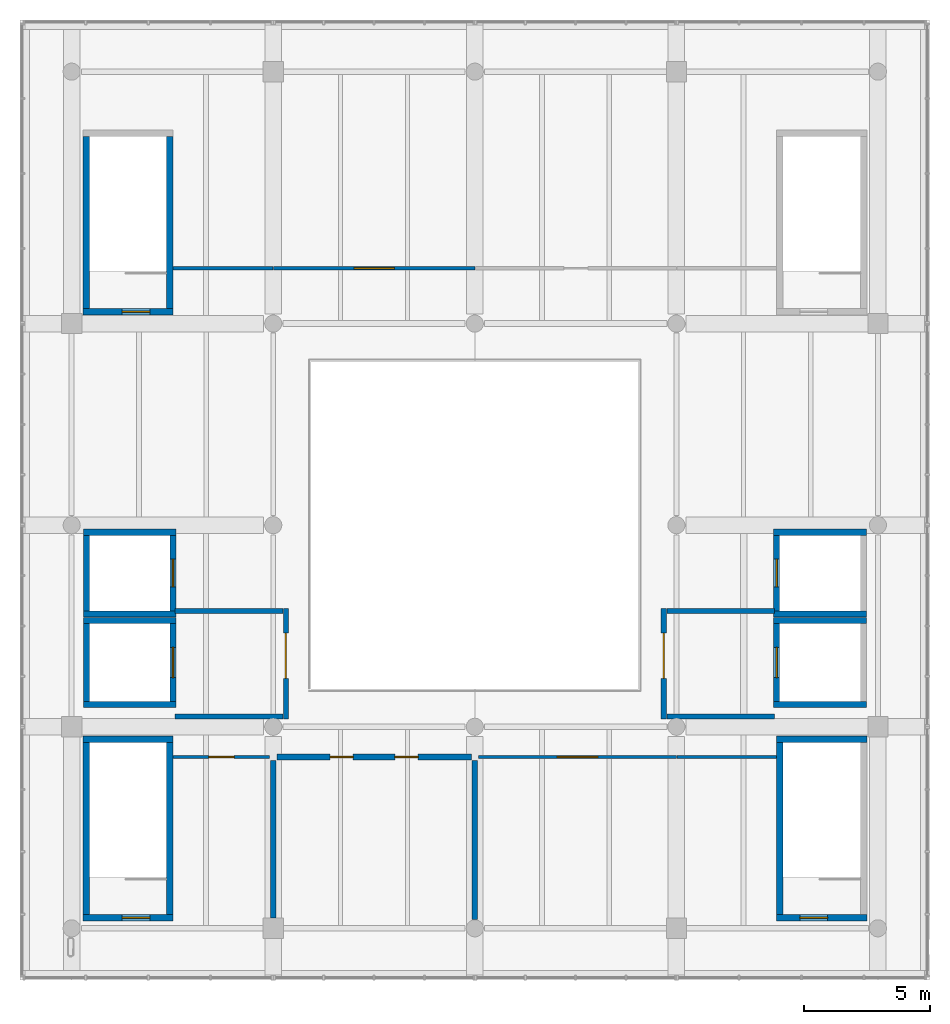
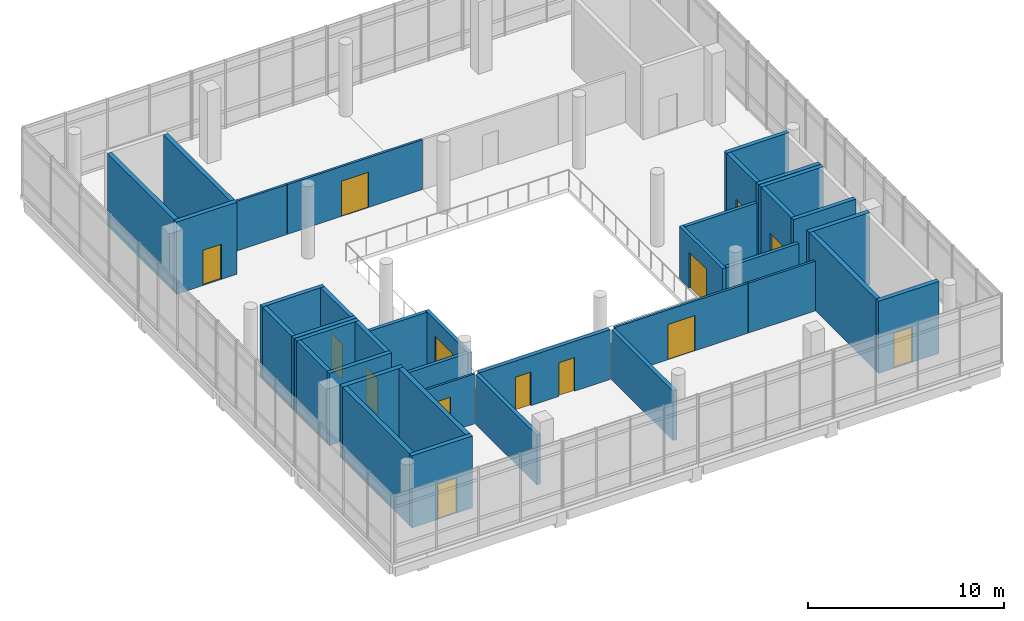
# One storey, part 13 of 15: 38 walls, 14 doors, 14 openings.
"""IFC4 building model written with IfcOpenShell, lengths in metres."""

import ifcopenshell
import ifcopenshell.guid

model = None  # the IFC model being written
_history = None  # IfcOwnerHistory: only IFC2X3 demands one
_inside = {}  # id of a spatial element -> (the spatial element, [elements in it])
_under = {}  # id of a project, library or spatial element -> (it, [spatial elements below it])
_declared = {}  # id of a project -> (the project, [libraries it declares])
_typed = {}  # id of a type object -> (the type object, [elements of that type])
_made_of = {}  # id of a material, layer set ... -> (it, [elements and type objects made of it])


def new_model(schema):
    """Start an empty IFC model of exactly this schema.

    Asked for "IFC4X3", IfcOpenShell would pick the latest addendum, in which some entities
    have other attributes; the version numbers below select the first issue.
    IFC2X3 requires an IfcOwnerHistory on every rooted entity: one is made here for all.
    """
    global model, _history
    if schema == "IFC4X3":
        model = ifcopenshell.file(schema_version=(4, 3, 0, 0))
    else:
        model = ifcopenshell.file(schema=schema)
    _inside.clear()
    _under.clear()
    _declared.clear()
    _typed.clear()
    _made_of.clear()
    _history = None
    if model.schema == "IFC2X3":
        org = make("IfcOrganization", Name="unknown")
        user = make(
            "IfcPersonAndOrganization",
            ThePerson=make("IfcPerson", FamilyName="unknown"),
            TheOrganization=org,
        )
        app = make(
            "IfcApplication",
            ApplicationDeveloper=org,
            Version="unknown",
            ApplicationFullName="unknown",
            ApplicationIdentifier="unknown",
        )
        _history = make(
            "IfcOwnerHistory",
            OwningUser=user,
            OwningApplication=app,
            ChangeAction="ADDED",
            CreationDate=0,
        )
    return model


def make(cls, **values):
    """One entity of the class cls with the attributes given. An attribute that is None is left unset."""
    return model.create_entity(
        cls, **{name: value for name, value in values.items() if value is not None}
    )


def rooted(cls, **values):
    """An entity with a GlobalId (a new one), such as an element, a storey or a relation."""
    return make(cls, GlobalId=ifcopenshell.guid.new(), OwnerHistory=_history, **values)


def si_unit(unit_type, name, prefix=None):
    """IfcSIUnit, for example si_unit("LENGTHUNIT", "METRE", prefix="MILLI")."""
    return make("IfcSIUnit", UnitType=unit_type, Prefix=prefix, Name=name)


def assignment(units):
    """IfcUnitAssignment: the units of a project."""
    return None if units is None else make("IfcUnitAssignment", Units=units)


def point(xyz):
    """IfcCartesianPoint."""
    return None if xyz is None else make("IfcCartesianPoint", Coordinates=xyz)


def direction(xyz):
    """IfcDirection."""
    return None if xyz is None else make("IfcDirection", DirectionRatios=xyz)


def frame(location, z_axis=None, x_axis=None):
    """IfcAxis2Placement3D, a coordinate frame: its origin and axes. An axis left out is left unset."""
    return make(
        "IfcAxis2Placement3D",
        Location=point(location),
        Axis=direction(z_axis),
        RefDirection=direction(x_axis),
    )


def frame_2d(location, x_axis=None):
    """IfcAxis2Placement2D, a coordinate frame in the plane: its origin and x axis."""
    return make(
        "IfcAxis2Placement2D", Location=point(location), RefDirection=direction(x_axis)
    )


def origin():
    """The frame at (0, 0, 0) with its axes left unset."""
    return frame((0.0, 0.0, 0.0))


def place(relative_to, where):
    """IfcLocalPlacement: puts the frame where relative to a parent placement (None: the world)."""
    return make(
        "IfcLocalPlacement", PlacementRelTo=relative_to, RelativePlacement=where
    )


def context(
    kind, dimensions, precision=None, world=None, true_north=None, identifier=None
):
    """IfcGeometricRepresentationContext, for example the 3D "Model" context."""
    return make(
        "IfcGeometricRepresentationContext",
        ContextIdentifier=identifier,
        ContextType=kind,
        CoordinateSpaceDimension=dimensions,
        Precision=precision,
        WorldCoordinateSystem=world,
        TrueNorth=true_north,
    )


def subcontext(parent, identifier, kind, view, scale=None):
    """IfcGeometricRepresentationSubContext, for example "Body" below "Model"."""
    return make(
        "IfcGeometricRepresentationSubContext",
        ContextIdentifier=identifier,
        ContextType=kind,
        ParentContext=parent,
        TargetScale=scale,
        TargetView=view,
    )


def project(units=None, contexts=None):
    """IfcProject with its units and contexts."""
    return rooted(
        "IfcProject",
        Name="project",
        RepresentationContexts=contexts,
        UnitsInContext=assignment(units),
    )


def spatial(cls, under=None, at=None, **own):
    """A site, building, storey or space (cls), placed at a placement, below another one or the project."""
    s = rooted(cls, ObjectPlacement=at, **own)
    if under is not None:
        _under.setdefault(under.id(), (under, []))[1].append(s)
    return s


def profile(cls, at=None, kind="AREA", **sizes):
    """A parametric profile (cls). Its sizes go by their IFC names, for example OverallWidth=200.0."""
    return make(cls, ProfileType=kind, Position=at, **sizes)


def rectangle(**sizes):
    """IfcRectangleProfileDef."""
    return profile("IfcRectangleProfileDef", **sizes)


def extrude(swept, where, along, depth):
    """IfcExtrudedAreaSolid: the profile swept, set in the frame where, extruded along a direction by depth."""
    return make(
        "IfcExtrudedAreaSolid",
        SweptArea=swept,
        Position=where,
        ExtrudedDirection=direction(along),
        Depth=depth,
    )


def shape(context_of_items, identifier, shape_type, items):
    """IfcShapeRepresentation: the items that make up one representation, for example the "Body"."""
    return make(
        "IfcShapeRepresentation",
        ContextOfItems=context_of_items,
        RepresentationIdentifier=identifier,
        RepresentationType=shape_type,
        Items=items,
    )


def material(Name=None, Category=None):
    """IfcMaterial."""
    return make("IfcMaterial", Name=Name, Category=Category)


def layer(
    of_material, thickness, ventilated=None, Name=None, Category=None, Priority=None
):
    """IfcMaterialLayer: one layer of a wall or slab, of a material (None: an air gap)."""
    return make(
        "IfcMaterialLayer",
        Material=of_material,
        LayerThickness=thickness,
        IsVentilated=ventilated,
        Name=Name,
        Category=Category,
        Priority=Priority,
    )


def layer_set(layers, Name=None):
    """IfcMaterialLayerSet."""
    return make("IfcMaterialLayerSet", MaterialLayers=layers, LayerSetName=Name)


def made_of(thing, what):
    """Note that an element or type object is made of a material, layer set ...; save() writes the relation."""
    if what is not None:
        _made_of.setdefault(what.id(), (what, []))[1].append(thing)
    return thing


def type_object(cls, material=None, **own):
    """A type object (cls), such as IfcWallType, which elements share."""
    return made_of(rooted(cls, **own), material)


def element(
    cls,
    number,
    at=None,
    inside=None,
    cuts=None,
    type_object=None,
    material=None,
    context=None,
    identifier="Body",
    shape_type=None,
    held_by="IfcProductDefinitionShape",
    body=None,
    shapes=None,
    **own,
):
    """One element of the class cls, such as IfcWall. Its Tag is "e" and its number.

    at: its placement. inside: the storey or other place that contains it. cuts: it is an
    opening in that element (IfcRelVoidsElement). A single representation is given by context,
    identifier, shape_type and body (its items); several are given by shapes. held_by: the class
    of the entity that holds the representations. save() writes the other relations.
    """
    e = rooted(cls, Tag="e%d" % number, ObjectPlacement=at, **own)
    if body is not None:
        shapes = [shape(context, identifier, shape_type, body)]
    if shapes is not None:
        e.Representation = make(held_by, Representations=shapes)
    if inside is not None:
        _inside.setdefault(inside.id(), (inside, []))[1].append(e)
    if cuts is not None:
        rooted(
            "IfcRelVoidsElement", RelatingBuildingElement=cuts, RelatedOpeningElement=e
        )
    if type_object is not None:
        _typed.setdefault(type_object.id(), (type_object, []))[1].append(e)
    return made_of(e, material)


def fill(opening, filler):
    """IfcRelFillsElement: the door or window that sits in an opening."""
    return rooted(
        "IfcRelFillsElement",
        RelatingOpeningElement=opening,
        RelatedBuildingElement=filler,
    )


def aggregate(whole, parts):
    """IfcRelAggregates: a whole, such as a stair, and the parts it consists of."""
    return rooted("IfcRelAggregates", RelatingObject=whole, RelatedObjects=parts)


def save(model, path):
    """Write the relations noted so far, then the file.

    IfcRelAggregates (storeys below a building ...), IfcRelContainedInSpatialStructure (elements
    in a storey), IfcRelDefinesByType, IfcRelAssociatesMaterial and IfcRelDeclares: one each for
    every whole, place, type object, material and project.
    """
    for whole, parts in _under.values():
        aggregate(whole, parts)
    for where, things in _inside.values():
        rooted(
            "IfcRelContainedInSpatialStructure",
            RelatedElements=things,
            RelatingStructure=where,
        )
    for kind, things in _typed.values():
        rooted("IfcRelDefinesByType", RelatedObjects=things, RelatingType=kind)
    for what, things in _made_of.values():
        rooted("IfcRelAssociatesMaterial", RelatedObjects=things, RelatingMaterial=what)
    for by, libraries in _declared.values():
        rooted("IfcRelDeclares", RelatingContext=by, RelatedDefinitions=libraries)
    model.write(path)


model = new_model("IFC4")

# Units and contexts
model_context = context("Model", 3, precision=1e-05, world=origin(), true_north=direction((0.0, 1.0)))
body_context = subcontext(model_context, "Body", "Model", "MODEL_VIEW")
ifc_project = project(units=[si_unit("LENGTHUNIT", "METRE"), si_unit("AREAUNIT", "SQUARE_METRE"), si_unit("VOLUMEUNIT", "CUBIC_METRE"), si_unit("PLANEANGLEUNIT", "RADIAN"), si_unit("MASSUNIT", "GRAM", prefix="KILO")], contexts=[model_context])

# Site, building, storey
site_placement = place(None, origin())
site = spatial("IfcSite", under=ifc_project, at=site_placement, CompositionType="ELEMENT")
building_placement = place(site_placement, origin())
building = spatial("IfcBuilding", under=site, at=building_placement, Name="Pecanmere Concourse Central Library", CompositionType="ELEMENT")
storey_placement = place(building_placement, frame((0.0, 0.0, 30.300048828125)))
storey = spatial("IfcBuildingStorey", under=building, at=storey_placement, Name="L07", CompositionType="ELEMENT", Elevation=30.300048828125)

# Wall, opening, door
ifc_material_1 = material(Name="Fire-rated gypsum board on acoustic steel stud", Category="steel")
ifc_layer_1 = layer(ifc_material_1, 0.135009765625, Name="IW_PART_135")
ifc_layer_set_1 = layer_set([ifc_layer_1], Name="Fire-rated gypsum board on acoustic steel stud")
wall_type_1 = type_object("IfcWallType", Name="IW_PART_135", PredefinedType="PARTITIONING", material=ifc_layer_set_1)
wall_1_placement = place(storey_placement, frame((76.030029296875, 96.800048828125, 0.0), z_axis=(0.0, 0.0, 1.0), x_axis=(1.0, 0.0, 0.0)))
wall_1 = element("IfcWall", 1, at=wall_1_placement, inside=storey, type_object=wall_type_1, Name="Interior Partition L07-0229", PredefinedType="PARTITIONING", context=body_context, shape_type="SweptSolid", body=[
    extrude(rectangle(XDim=3.830078125, YDim=0.135009765625, at=frame_2d((1.9150390625, 0.0))), origin(), (0.0, 0.0, 1.0), 3.10986328125),
])
opening_1_placement = place(wall_1_placement, frame((1.4150390625, 0.0, 0.0)))
opening_1 = element("IfcOpeningElement", 2, at=opening_1_placement, cuts=wall_1, Name="Opening DT-03", PredefinedType="OPENING", context=body_context, shape_type="SweptSolid", body=[
    extrude(rectangle(XDim=1.0, YDim=2.14990234375, at=frame_2d((0.5, 1.074951171875))), frame((0.0, 0.07958984375, 0.0), z_axis=(0.0, -1.0, 0.0), x_axis=(1.0, 0.0, 0.0)), (0.0, 0.0, 1.0), 0.158935546875),
])
ifc_material_2 = material(Name="Solid white oak architectural joinery")
door_type_1 = type_object("IfcDoorType", Name="DT-03", OperationType="SINGLE_SWING_LEFT", PredefinedType="DOOR", material=ifc_material_2)
door_1_placement = place(opening_1_placement, frame((1.0, 0.0, 0.0), z_axis=(0.0, 0.0, 1.0), x_axis=(-1.0, 0.0, 0.0)))
door_1 = element("IfcDoor", 3, at=door_1_placement, inside=storey, type_object=door_type_1, Name="D-243", OperationType="SINGLE_SWING_LEFT", OverallHeight=2.14990234375, OverallWidth=1.0, PredefinedType="DOOR", context=body_context, shape_type="SweptSolid", body=[
    extrude(rectangle(XDim=1.0, YDim=2.14990234375, at=frame_2d((0.5, 1.074951171875))), frame((0.0, 0.02490234375, 0.0), z_axis=(0.0, -1.0, 0.0), x_axis=(1.0, 0.0, 0.0)), (0.0, 0.0, 1.0), 0.050048828125),
])
fill(opening_1, door_1)

wall_2_placement = place(storey_placement, frame((88.139892578125, 96.800048828125, 0.0), z_axis=(0.0, 0.0, 1.0), x_axis=(1.0, 0.0, 0.0)))
wall_2 = element("IfcWall", 4, at=wall_2_placement, inside=storey, type_object=wall_type_1, Name="Interior Partition L07-0230", PredefinedType="PARTITIONING", context=body_context, shape_type="SweptSolid", body=[
    extrude(rectangle(XDim=7.860107421875, YDim=0.135009765625, at=frame_2d((3.93017578125, 0.0))), origin(), (0.0, 0.0, 1.0), 3.10986328125),
])
opening_2_placement = place(wall_2_placement, frame((3.1298828125, 0.0, 0.0)))
opening_2 = element("IfcOpeningElement", 5, at=opening_2_placement, cuts=wall_2, Name="Opening DT-02", PredefinedType="OPENING", context=body_context, shape_type="SweptSolid", body=[
    extrude(rectangle(XDim=1.60009765625, YDim=2.199951171875, at=frame_2d((0.800048828125, 1.10009765625))), frame((0.0, 0.07958984375, 0.0), z_axis=(0.0, -1.0, 0.0), x_axis=(1.0, 0.0, 0.0)), (0.0, 0.0, 1.0), 0.158935546875),
])
ifc_material_3 = material(Name="Solid white oak architectural joinery")
door_type_2 = type_object("IfcDoorType", Name="DT-02", OperationType="DOUBLE_DOOR_SINGLE_SWING", PredefinedType="DOOR", material=ifc_material_3)
door_2_placement = place(opening_2_placement, origin())
door_2 = element("IfcDoor", 6, at=door_2_placement, inside=storey, type_object=door_type_2, Name="D-244", OperationType="DOUBLE_DOOR_SINGLE_SWING", OverallHeight=2.199951171875, OverallWidth=1.60009765625, PredefinedType="DOOR", context=body_context, shape_type="SweptSolid", body=[
    extrude(rectangle(XDim=1.60009765625, YDim=2.199951171875, at=frame_2d((0.800048828125, 1.10009765625))), frame((0.0, 0.02490234375, 0.0), z_axis=(0.0, -1.0, 0.0), x_axis=(1.0, 0.0, 0.0)), (0.0, 0.0, 1.0), 0.050048828125),
])
fill(opening_2, door_2)

# Walls
wall_3_placement = place(storey_placement, frame((96.02001953125, 96.800048828125, 0.0), z_axis=(0.0, 0.0, 1.0), x_axis=(1.0, 0.0, 0.0)))
element("IfcWall", 7, at=wall_3_placement, inside=storey, type_object=wall_type_1, Name="Interior Partition L07-0231", PredefinedType="PARTITIONING", context=body_context, shape_type="SweptSolid", body=[
    extrude(rectangle(XDim=3.949951171875, YDim=0.135009765625, at=frame_2d((1.97509765625, 0.0))), origin(), (0.0, 0.0, 1.0), 3.10986328125),
])
wall_4_placement = place(storey_placement, frame((76.030029296875, 116.199951171875, 0.0), z_axis=(0.0, 0.0, 1.0), x_axis=(1.0, 0.0, 0.0)))
element("IfcWall", 8, at=wall_4_placement, inside=storey, type_object=wall_type_1, Name="Interior Partition L07-0232", PredefinedType="PARTITIONING", context=body_context, shape_type="SweptSolid", body=[
    extrude(rectangle(XDim=3.969970703125, YDim=0.135009765625, at=frame_2d((1.98486328125, 0.0))), origin(), (0.0, 0.0, 1.0), 3.10986328125),
])

# Wall, opening, door
wall_5_placement = place(storey_placement, frame((80.02001953125, 116.199951171875, 0.0), z_axis=(0.0, 0.0, 1.0), x_axis=(1.0, 0.0, 0.0)))
wall_5 = element("IfcWall", 9, at=wall_5_placement, inside=storey, type_object=wall_type_1, Name="Interior Partition L07-0233", PredefinedType="PARTITIONING", context=body_context, shape_type="SweptSolid", body=[
    extrude(rectangle(XDim=7.97998046875, YDim=0.135009765625, at=frame_2d((3.989990234375, 0.0))), origin(), (0.0, 0.0, 1.0), 3.10986328125),
])
opening_3_placement = place(wall_5_placement, frame((3.18994140625, 0.0, 0.0)))
opening_3 = element("IfcOpeningElement", 10, at=opening_3_placement, cuts=wall_5, Name="Opening DT-02", PredefinedType="OPENING", context=body_context, shape_type="SweptSolid", body=[
    extrude(rectangle(XDim=1.60009765625, YDim=2.199951171875, at=frame_2d((0.800048828125, 1.10009765625))), frame((0.0, 0.07958984375, 0.0), z_axis=(0.0, -1.0, 0.0), x_axis=(1.0, 0.0, 0.0)), (0.0, 0.0, 1.0), 0.158935546875),
])
door_3_placement = place(opening_3_placement, frame((1.60009765625, 0.0, 0.0), z_axis=(0.0, 0.0, 1.0), x_axis=(-1.0, 0.0, 0.0)))
door_3 = element("IfcDoor", 11, at=door_3_placement, inside=storey, type_object=door_type_2, Name="D-245", OperationType="DOUBLE_DOOR_SINGLE_SWING", OverallHeight=2.199951171875, OverallWidth=1.60009765625, PredefinedType="DOOR", context=body_context, shape_type="SweptSolid", body=[
    extrude(rectangle(XDim=1.60009765625, YDim=2.199951171875, at=frame_2d((0.800048828125, 1.10009765625))), frame((0.0, 0.02490234375, 0.0), z_axis=(0.0, -1.0, 0.0), x_axis=(1.0, 0.0, 0.0)), (0.0, 0.0, 1.0), 0.050048828125),
])
fill(opening_3, door_3)

# Walls
ifc_material_4 = material(Name="Fire-rated gypsum board on acoustic steel stud", Category="steel")
ifc_layer_2 = layer(ifc_material_4, 0.199951171875, Name="IW_PART_200")
ifc_layer_set_2 = layer_set([ifc_layer_2], Name="Fire-rated gypsum board on acoustic steel stud")
wall_type_2 = type_object("IfcWallType", Name="IW_PART_200", PredefinedType="PARTITIONING", material=ifc_layer_set_2)
for number, where, z_axis, x_axis, name in (
    (12, (76.10009765625, 98.39990234375, 0.0), (0.0, 0.0, 1.0), (1.0, 0.0, 0.0), "Firefighting Lobby Wall W-L07-S"),
    (13, (76.10009765625, 102.60009765625, 0.0), (0.0, 0.0, 1.0), (1.0, 0.0, 0.0), "Firefighting Lobby Wall W-L07-N"),
):
    element("IfcWall", number, at=place(storey_placement, frame(where, z_axis=z_axis, x_axis=x_axis)), inside=storey, type_object=wall_type_2, Name=name, PredefinedType="PARTITIONING", context=body_context, shape_type="SweptSolid", body=[
        extrude(rectangle(XDim=4.27978515625, YDim=0.199951171875, at=frame_2d((2.139892578125, 0.0))), origin(), (0.0, 0.0, 1.0), 3.280029296875),
    ])

# Wall, opening, door
wall_6_placement = place(storey_placement, frame((80.5, 98.300048828125, 0.0), z_axis=(0.0, 0.0, 1.0), x_axis=(0.0, 1.0, 0.0)))
wall_6 = element("IfcWall", 14, at=wall_6_placement, inside=storey, type_object=wall_type_2, Name="Firefighting Lobby Door Wall W-L07", PredefinedType="PARTITIONING", context=body_context, shape_type="SweptSolid", body=[
    extrude(rectangle(XDim=4.39990234375, YDim=0.199951171875, at=frame_2d((2.199951171875, 0.0))), origin(), (0.0, 0.0, 1.0), 3.280029296875),
])
opening_4_placement = place(wall_6_placement, frame((1.6201171875, 0.0, 0.0)))
opening_4 = element("IfcOpeningElement", 15, at=opening_4_placement, cuts=wall_6, Name="Opening FD-03", PredefinedType="OPENING", context=body_context, shape_type="SweptSolid", body=[
    extrude(rectangle(XDim=1.800048828125, YDim=2.25, at=frame_2d((0.89990234375, 1.125))), frame((0.0, 0.11181640625, 0.0), z_axis=(0.0, -1.0, 0.0), x_axis=(1.0, 0.0, 0.0)), (0.0, 0.0, 1.0), 0.223876953125),
])
ifc_material_5 = material(Name="Painted architectural steel ASTM A36", Category="steel")
door_type_3 = type_object("IfcDoorType", Name="FD-03", OperationType="DOUBLE_DOOR_SINGLE_SWING", PredefinedType="DOOR", material=ifc_material_5)
door_4_placement = place(opening_4_placement, origin())
door_4 = element("IfcDoor", 16, at=door_4_placement, inside=storey, type_object=door_type_3, Name="D-123", OperationType="DOUBLE_DOOR_SINGLE_SWING", OverallHeight=2.25, OverallWidth=1.800048828125, PredefinedType="DOOR", context=body_context, shape_type="SweptSolid", body=[
    extrude(rectangle(XDim=1.800048828125, YDim=2.25, at=frame_2d((0.89990234375, 1.125))), frame((0.0, 0.02490234375, 0.0), z_axis=(0.0, -1.0, 0.0), x_axis=(1.0, 0.0, 0.0)), (0.0, 0.0, 1.0), 0.050048828125),
])
fill(opening_4, door_4)

# Walls
for number, where, z_axis, x_axis, name in (
    (17, (95.6201171875, 98.39990234375, 0.0), (0.0, 0.0, 1.0), (1.0, 0.0, 0.0), "Firefighting Lobby Wall E-L07-S"),
    (18, (95.6201171875, 102.60009765625, 0.0), (0.0, 0.0, 1.0), (1.0, 0.0, 0.0), "Firefighting Lobby Wall E-L07-N"),
):
    element("IfcWall", number, at=place(storey_placement, frame(where, z_axis=z_axis, x_axis=x_axis)), inside=storey, type_object=wall_type_2, Name=name, PredefinedType="PARTITIONING", context=body_context, shape_type="SweptSolid", body=[
        extrude(rectangle(XDim=4.27978515625, YDim=0.199951171875, at=frame_2d((2.139892578125, 0.0))), origin(), (0.0, 0.0, 1.0), 3.280029296875),
    ])

# Wall, opening, door
wall_7_placement = place(storey_placement, frame((95.5, 98.300048828125, 0.0), z_axis=(0.0, 0.0, 1.0), x_axis=(0.0, 1.0, 0.0)))
wall_7 = element("IfcWall", 19, at=wall_7_placement, inside=storey, type_object=wall_type_2, Name="Firefighting Lobby Door Wall E-L07", PredefinedType="PARTITIONING", context=body_context, shape_type="SweptSolid", body=[
    extrude(rectangle(XDim=4.39990234375, YDim=0.199951171875, at=frame_2d((2.199951171875, 0.0))), origin(), (0.0, 0.0, 1.0), 3.280029296875),
])
opening_5_placement = place(wall_7_placement, frame((1.6201171875, 0.0, 0.0)))
opening_5 = element("IfcOpeningElement", 20, at=opening_5_placement, cuts=wall_7, Name="Opening FD-03", PredefinedType="OPENING", context=body_context, shape_type="SweptSolid", body=[
    extrude(rectangle(XDim=1.800048828125, YDim=2.25, at=frame_2d((0.89990234375, 1.125))), frame((0.0, 0.11181640625, 0.0), z_axis=(0.0, -1.0, 0.0), x_axis=(1.0, 0.0, 0.0)), (0.0, 0.0, 1.0), 0.223876953125),
])
door_5_placement = place(opening_5_placement, origin())
door_5 = element("IfcDoor", 21, at=door_5_placement, inside=storey, type_object=door_type_3, Name="D-124", OperationType="DOUBLE_DOOR_SINGLE_SWING", OverallHeight=2.25, OverallWidth=1.800048828125, PredefinedType="DOOR", context=body_context, shape_type="SweptSolid", body=[
    extrude(rectangle(XDim=1.800048828125, YDim=2.25, at=frame_2d((0.89990234375, 1.125))), frame((0.0, 0.02490234375, 0.0), z_axis=(0.0, -1.0, 0.0), x_axis=(1.0, 0.0, 0.0)), (0.0, 0.0, 1.0), 0.050048828125),
])
fill(opening_5, door_5)

# Walls
ifc_material_6 = material(Name="Concrete masonry unit ASTM C90", Category="masonry")
ifc_layer_3 = layer(ifc_material_6, 0.22509765625, Name="IW_PLUMB_225")
ifc_layer_set_3 = layer_set([ifc_layer_3], Name="Concrete masonry unit ASTM C90")
wall_type_3 = type_object("IfcWallType", Name="IW_PLUMB_225", PredefinedType="PARTITIONING", material=ifc_layer_set_3)
wall_8_placement = place(storey_placement, frame((80.0, 90.409912109375, 0.0), z_axis=(0.0, 0.0, 1.0), x_axis=(0.0, 1.0, 0.0)))
element("IfcWall", 22, at=wall_8_placement, inside=storey, type_object=wall_type_3, Name="Interior Partition L07-0226", PredefinedType="PARTITIONING", context=body_context, shape_type="SweptSolid", body=[
    extrude(rectangle(XDim=6.25, YDim=0.22509765625, at=frame_2d((3.125, 0.0))), origin(), (0.0, 0.0, 1.0), 3.10986328125),
])
wall_9_placement = place(storey_placement, frame((88.0, 90.35009765625, 0.0), z_axis=(0.0, 0.0, 1.0), x_axis=(0.0, 1.0, 0.0)))
element("IfcWall", 23, at=wall_9_placement, inside=storey, type_object=wall_type_3, Name="Interior Partition L07-0227", PredefinedType="PARTITIONING", context=body_context, shape_type="SweptSolid", body=[
    extrude(rectangle(XDim=6.309814453125, YDim=0.22509765625, at=frame_2d((3.15478515625, 0.0))), origin(), (0.0, 0.0, 1.0), 3.10986328125),
])

# Wall, openings, doors
wall_10_placement = place(storey_placement, frame((80.139892578125, 96.800048828125, 0.0), z_axis=(0.0, 0.0, 1.0), x_axis=(1.0, 0.0, 0.0)))
wall_10 = element("IfcWall", 24, at=wall_10_placement, inside=storey, type_object=wall_type_3, Name="Interior Partition L07-0228", PredefinedType="PARTITIONING", context=body_context, shape_type="SweptSolid", body=[
    extrude(rectangle(XDim=7.72021484375, YDim=0.22509765625, at=frame_2d((3.860107421875, 0.0))), origin(), (0.0, 0.0, 1.0), 3.10986328125),
])
opening_6_placement = place(wall_10_placement, frame((2.11328125, 0.0, 0.0)))
opening_6 = element("IfcOpeningElement", 25, at=opening_6_placement, cuts=wall_10, Name="Opening DT-07", PredefinedType="OPENING", context=body_context, shape_type="SweptSolid", body=[
    extrude(rectangle(XDim=0.919921875, YDim=2.10009765625, at=frame_2d((0.4599609375, 1.050048828125))), frame((0.0, 0.12451171875, 0.0), z_axis=(0.0, -1.0, 0.0), x_axis=(1.0, 0.0, 0.0)), (0.0, 0.0, 1.0), 0.2490234375),
])
opening_7_placement = place(wall_10_placement, frame((4.686767578125, 0.0, 0.0)))
opening_7 = element("IfcOpeningElement", 26, at=opening_7_placement, cuts=wall_10, Name="Opening DT-08", PredefinedType="OPENING", context=body_context, shape_type="SweptSolid", body=[
    extrude(rectangle(XDim=0.919921875, YDim=2.10009765625, at=frame_2d((0.4599609375, 1.050048828125))), frame((0.0, 0.12451171875, 0.0), z_axis=(0.0, -1.0, 0.0), x_axis=(1.0, 0.0, 0.0)), (0.0, 0.0, 1.0), 0.2490234375),
])
ifc_material_7 = material(Name="Solid white oak architectural joinery")
door_type_4 = type_object("IfcDoorType", Name="DT-07", OperationType="SINGLE_SWING_LEFT", PredefinedType="DOOR", material=ifc_material_7)
door_6_placement = place(opening_6_placement, frame((0.919921875, 0.0, 0.0), z_axis=(0.0, 0.0, 1.0), x_axis=(-1.0, 0.0, 0.0)))
door_6 = element("IfcDoor", 27, at=door_6_placement, inside=storey, type_object=door_type_4, Name="D-241", OperationType="SINGLE_SWING_LEFT", OverallHeight=2.10009765625, OverallWidth=0.919921875, PredefinedType="DOOR", context=body_context, shape_type="SweptSolid", body=[
    extrude(rectangle(XDim=0.919921875, YDim=2.10009765625, at=frame_2d((0.4599609375, 1.050048828125))), frame((0.0, 0.02490234375, 0.0), z_axis=(0.0, -1.0, 0.0), x_axis=(1.0, 0.0, 0.0)), (0.0, 0.0, 1.0), 0.050048828125),
])
fill(opening_6, door_6)
ifc_material_8 = material(Name="Solid white oak architectural joinery")
door_type_5 = type_object("IfcDoorType", Name="DT-08", OperationType="SINGLE_SWING_RIGHT", PredefinedType="DOOR", material=ifc_material_8)
door_7_placement = place(opening_7_placement, origin())
door_7 = element("IfcDoor", 28, at=door_7_placement, inside=storey, type_object=door_type_5, Name="D-242", OperationType="SINGLE_SWING_RIGHT", OverallHeight=2.10009765625, OverallWidth=0.919921875, PredefinedType="DOOR", context=body_context, shape_type="SweptSolid", body=[
    extrude(rectangle(XDim=0.919921875, YDim=2.10009765625, at=frame_2d((0.4599609375, 1.050048828125))), frame((0.0, 0.02490234375, 0.0), z_axis=(0.0, -1.0, 0.0), x_axis=(1.0, 0.0, 0.0)), (0.0, 0.0, 1.0), 0.050048828125),
])
fill(opening_7, door_7)

# Walls
ifc_material_9 = material(Name="Concrete C40/50", Category="concrete")
ifc_layer_4 = layer(ifc_material_9, 0.239990234375, Name="WALL_SLD_240")
ifc_layer_set_4 = layer_set([ifc_layer_4], Name="Concrete C40/50")
wall_type_4 = type_object("IfcWallType", Name="WALL_SLD_240", PredefinedType="SOLIDWALL", material=ifc_layer_set_4)
for number, where, z_axis, x_axis, name in (
    (29, (72.4599609375, 98.8798828125, 0.0), (0.0, 0.0, 1.0), (1.0, 0.0, 0.0), "Hoistway Wall LF-01 L07-S"),
    (30, (72.4599609375, 102.219970703125, 0.0), (0.0, 0.0, 1.0), (1.0, 0.0, 0.0), "Hoistway Wall LF-01 L07-N"),
):
    element("IfcWall", number, at=place(storey_placement, frame(where, z_axis=z_axis, x_axis=x_axis)), inside=storey, type_object=wall_type_4, Name=name, PredefinedType="SOLIDWALL", context=body_context, shape_type="SweptSolid", body=[
        extrude(rectangle(XDim=3.679931640625, YDim=0.239990234375, at=frame_2d((1.83984375, 0.0))), origin(), (0.0, 0.0, 1.0), 4.5),
    ])
wall_11_placement = place(storey_placement, frame((72.580078125, 99.0, 0.0), z_axis=(0.0, 0.0, 1.0), x_axis=(0.0, 1.0, 0.0)))
element("IfcWall", 31, at=wall_11_placement, inside=storey, type_object=wall_type_4, Name="Hoistway Wall LF-01 L07-W", PredefinedType="SOLIDWALL", context=body_context, shape_type="SweptSolid", body=[
    extrude(rectangle(XDim=3.10009765625, YDim=0.239990234375, at=frame_2d((1.550048828125, 0.0))), origin(), (0.0, 0.0, 1.0), 4.5),
])

# Wall, opening, door
wall_12_placement = place(storey_placement, frame((76.02001953125, 99.0, 0.0), z_axis=(0.0, 0.0, 1.0), x_axis=(0.0, 1.0, 0.0)))
wall_12 = element("IfcWall", 32, at=wall_12_placement, inside=storey, type_object=wall_type_4, Name="Hoistway Wall LF-01 L07-E", PredefinedType="SOLIDWALL", context=body_context, shape_type="SweptSolid", body=[
    extrude(rectangle(XDim=3.10009765625, YDim=0.239990234375, at=frame_2d((1.550048828125, 0.0))), origin(), (0.0, 0.0, 1.0), 4.5),
])
opening_8_placement = place(wall_12_placement, frame((0.949951171875, 0.0, 0.0)))
opening_8 = element("IfcOpeningElement", 33, at=opening_8_placement, cuts=wall_12, Name="Opening LD-02", PredefinedType="OPENING", context=body_context, shape_type="SweptSolid", body=[
    extrude(rectangle(XDim=1.199951171875, YDim=2.199951171875, at=frame_2d((0.60009765625, 1.10009765625))), frame((0.0, 0.1318359375, 0.0), z_axis=(0.0, -1.0, 0.0), x_axis=(1.0, 0.0, 0.0)), (0.0, 0.0, 1.0), 0.263916015625),
])
ifc_material_10 = material(Name="Brushed stainless steel Grade 316", Category="steel")
door_type_6 = type_object("IfcDoorType", Name="LD-02", OperationType="DOUBLE_DOOR_SLIDING", PredefinedType="DOOR", material=ifc_material_10)
door_8_placement = place(opening_8_placement, origin())
door_8 = element("IfcDoor", 34, at=door_8_placement, inside=storey, type_object=door_type_6, Name="LD-LF-01-L07", OperationType="DOUBLE_DOOR_SLIDING", OverallHeight=2.199951171875, OverallWidth=1.199951171875, PredefinedType="DOOR", context=body_context, shape_type="SweptSolid", body=[
    extrude(rectangle(XDim=1.199951171875, YDim=2.199951171875, at=frame_2d((0.60009765625, 1.10009765625))), frame((0.0, 0.02490234375, 0.0), z_axis=(0.0, -1.0, 0.0), x_axis=(1.0, 0.0, 0.0)), (0.0, 0.0, 1.0), 0.050048828125),
])
fill(opening_8, door_8)

# Walls
for number, where, z_axis, x_axis, name in (
    (35, (72.4599609375, 102.47998046875, 0.0), (0.0, 0.0, 1.0), (1.0, 0.0, 0.0), "Hoistway Wall LP-01 L07-S"),
    (36, (72.4599609375, 105.719970703125, 0.0), (0.0, 0.0, 1.0), (1.0, 0.0, 0.0), "Hoistway Wall LP-01 L07-N"),
):
    element("IfcWall", number, at=place(storey_placement, frame(where, z_axis=z_axis, x_axis=x_axis)), inside=storey, type_object=wall_type_4, Name=name, PredefinedType="SOLIDWALL", context=body_context, shape_type="SweptSolid", body=[
        extrude(rectangle(XDim=3.679931640625, YDim=0.239990234375, at=frame_2d((1.83984375, 0.0))), origin(), (0.0, 0.0, 1.0), 4.5),
    ])
wall_13_placement = place(storey_placement, frame((72.580078125, 102.60009765625, 0.0), z_axis=(0.0, 0.0, 1.0), x_axis=(0.0, 1.0, 0.0)))
element("IfcWall", 37, at=wall_13_placement, inside=storey, type_object=wall_type_4, Name="Hoistway Wall LP-01 L07-W", PredefinedType="SOLIDWALL", context=body_context, shape_type="SweptSolid", body=[
    extrude(rectangle(XDim=3.0, YDim=0.239990234375, at=frame_2d((1.5, 0.0))), origin(), (0.0, 0.0, 1.0), 4.5),
])

# Wall, opening, door
wall_14_placement = place(storey_placement, frame((76.02001953125, 102.60009765625, 0.0), z_axis=(0.0, 0.0, 1.0), x_axis=(0.0, 1.0, 0.0)))
wall_14 = element("IfcWall", 38, at=wall_14_placement, inside=storey, type_object=wall_type_4, Name="Hoistway Wall LP-01 L07-E", PredefinedType="SOLIDWALL", context=body_context, shape_type="SweptSolid", body=[
    extrude(rectangle(XDim=3.0, YDim=0.239990234375, at=frame_2d((1.5, 0.0))), origin(), (0.0, 0.0, 1.0), 4.5),
])
opening_9_placement = place(wall_14_placement, frame((0.949951171875, 0.0, 0.0)))
opening_9 = element("IfcOpeningElement", 39, at=opening_9_placement, cuts=wall_14, Name="Opening LD-01", PredefinedType="OPENING", context=body_context, shape_type="SweptSolid", body=[
    extrude(rectangle(XDim=1.10009765625, YDim=2.199951171875, at=frame_2d((0.550048828125, 1.10009765625))), frame((0.0, 0.1318359375, 0.0), z_axis=(0.0, -1.0, 0.0), x_axis=(1.0, 0.0, 0.0)), (0.0, 0.0, 1.0), 0.263916015625),
])
ifc_material_11 = material(Name="Brushed stainless steel Grade 316", Category="steel")
door_type_7 = type_object("IfcDoorType", Name="LD-01", OperationType="DOUBLE_DOOR_SLIDING", PredefinedType="DOOR", material=ifc_material_11)
door_9_placement = place(opening_9_placement, origin())
door_9 = element("IfcDoor", 40, at=door_9_placement, inside=storey, type_object=door_type_7, Name="LD-LP-01-L07", OperationType="DOUBLE_DOOR_SLIDING", OverallHeight=2.199951171875, OverallWidth=1.10009765625, PredefinedType="DOOR", context=body_context, shape_type="SweptSolid", body=[
    extrude(rectangle(XDim=1.10009765625, YDim=2.199951171875, at=frame_2d((0.550048828125, 1.10009765625))), frame((0.0, 0.02490234375, 0.0), z_axis=(0.0, -1.0, 0.0), x_axis=(1.0, 0.0, 0.0)), (0.0, 0.0, 1.0), 0.050048828125),
])
fill(opening_9, door_9)

# Walls
for number, where, z_axis, x_axis, name in (
    (41, (99.860107421875, 98.8798828125, 0.0), (0.0, 0.0, 1.0), (1.0, 0.0, 0.0), "Hoistway Wall LF-02 L07-S"),
    (42, (99.860107421875, 102.219970703125, 0.0), (0.0, 0.0, 1.0), (1.0, 0.0, 0.0), "Hoistway Wall LF-02 L07-N"),
):
    element("IfcWall", number, at=place(storey_placement, frame(where, z_axis=z_axis, x_axis=x_axis)), inside=storey, type_object=wall_type_4, Name=name, PredefinedType="SOLIDWALL", context=body_context, shape_type="SweptSolid", body=[
        extrude(rectangle(XDim=3.679931640625, YDim=0.239990234375, at=frame_2d((1.83984375, 0.0))), origin(), (0.0, 0.0, 1.0), 4.5),
    ])

# Wall, opening, door
wall_15_placement = place(storey_placement, frame((99.97998046875, 99.0, 0.0), z_axis=(0.0, 0.0, 1.0), x_axis=(0.0, 1.0, 0.0)))
wall_15 = element("IfcWall", 43, at=wall_15_placement, inside=storey, type_object=wall_type_4, Name="Hoistway Wall LF-02 L07-W", PredefinedType="SOLIDWALL", context=body_context, shape_type="SweptSolid", body=[
    extrude(rectangle(XDim=3.10009765625, YDim=0.239990234375, at=frame_2d((1.550048828125, 0.0))), origin(), (0.0, 0.0, 1.0), 4.5),
])
opening_10_placement = place(wall_15_placement, frame((0.949951171875, 0.0, 0.0)))
opening_10 = element("IfcOpeningElement", 44, at=opening_10_placement, cuts=wall_15, Name="Opening LD-02", PredefinedType="OPENING", context=body_context, shape_type="SweptSolid", body=[
    extrude(rectangle(XDim=1.199951171875, YDim=2.199951171875, at=frame_2d((0.60009765625, 1.10009765625))), frame((0.0, 0.1318359375, 0.0), z_axis=(0.0, -1.0, 0.0), x_axis=(1.0, 0.0, 0.0)), (0.0, 0.0, 1.0), 0.263916015625),
])
door_10_placement = place(opening_10_placement, origin())
door_10 = element("IfcDoor", 45, at=door_10_placement, inside=storey, type_object=door_type_6, Name="LD-LF-02-L07", OperationType="DOUBLE_DOOR_SLIDING", OverallHeight=2.199951171875, OverallWidth=1.199951171875, PredefinedType="DOOR", context=body_context, shape_type="SweptSolid", body=[
    extrude(rectangle(XDim=1.199951171875, YDim=2.199951171875, at=frame_2d((0.60009765625, 1.10009765625))), frame((0.0, 0.02490234375, 0.0), z_axis=(0.0, -1.0, 0.0), x_axis=(1.0, 0.0, 0.0)), (0.0, 0.0, 1.0), 0.050048828125),
])
fill(opening_10, door_10)

# Walls
for number, where, z_axis, x_axis, name in (
    (46, (99.860107421875, 102.47998046875, 0.0), (0.0, 0.0, 1.0), (1.0, 0.0, 0.0), "Hoistway Wall LP-02 L07-S"),
    (47, (99.860107421875, 105.719970703125, 0.0), (0.0, 0.0, 1.0), (1.0, 0.0, 0.0), "Hoistway Wall LP-02 L07-N"),
):
    element("IfcWall", number, at=place(storey_placement, frame(where, z_axis=z_axis, x_axis=x_axis)), inside=storey, type_object=wall_type_4, Name=name, PredefinedType="SOLIDWALL", context=body_context, shape_type="SweptSolid", body=[
        extrude(rectangle(XDim=3.679931640625, YDim=0.239990234375, at=frame_2d((1.83984375, 0.0))), origin(), (0.0, 0.0, 1.0), 4.5),
    ])

# Wall, opening, door
wall_16_placement = place(storey_placement, frame((99.97998046875, 102.60009765625, 0.0), z_axis=(0.0, 0.0, 1.0), x_axis=(0.0, 1.0, 0.0)))
wall_16 = element("IfcWall", 48, at=wall_16_placement, inside=storey, type_object=wall_type_4, Name="Hoistway Wall LP-02 L07-W", PredefinedType="SOLIDWALL", context=body_context, shape_type="SweptSolid", body=[
    extrude(rectangle(XDim=3.0, YDim=0.239990234375, at=frame_2d((1.5, 0.0))), origin(), (0.0, 0.0, 1.0), 4.5),
])
opening_11_placement = place(wall_16_placement, frame((0.949951171875, 0.0, 0.0)))
opening_11 = element("IfcOpeningElement", 49, at=opening_11_placement, cuts=wall_16, Name="Opening LD-01", PredefinedType="OPENING", context=body_context, shape_type="SweptSolid", body=[
    extrude(rectangle(XDim=1.10009765625, YDim=2.199951171875, at=frame_2d((0.550048828125, 1.10009765625))), frame((0.0, 0.1318359375, 0.0), z_axis=(0.0, -1.0, 0.0), x_axis=(1.0, 0.0, 0.0)), (0.0, 0.0, 1.0), 0.263916015625),
])
door_11_placement = place(opening_11_placement, origin())
door_11 = element("IfcDoor", 50, at=door_11_placement, inside=storey, type_object=door_type_7, Name="LD-LP-02-L07", OperationType="DOUBLE_DOOR_SLIDING", OverallHeight=2.199951171875, OverallWidth=1.10009765625, PredefinedType="DOOR", context=body_context, shape_type="SweptSolid", body=[
    extrude(rectangle(XDim=1.10009765625, YDim=2.199951171875, at=frame_2d((0.550048828125, 1.10009765625))), frame((0.0, 0.02490234375, 0.0), z_axis=(0.0, -1.0, 0.0), x_axis=(1.0, 0.0, 0.0)), (0.0, 0.0, 1.0), 0.050048828125),
])
fill(opening_11, door_11)

ifc_material_12 = material(Name="Concrete C40/50", Category="concrete")
ifc_layer_5 = layer(ifc_material_12, 0.260009765625, Name="WALL_SLD_260")
ifc_layer_set_5 = layer_set([ifc_layer_5], Name="Concrete C40/50")
wall_type_5 = type_object("IfcWallType", Name="WALL_SLD_260", PredefinedType="SOLIDWALL", material=ifc_layer_set_5)
wall_17_placement = place(storey_placement, frame((72.43994140625, 90.419921875, 0.0), z_axis=(0.0, 0.0, 1.0), x_axis=(1.0, 0.0, 0.0)))
wall_17 = element("IfcWall", 51, at=wall_17_placement, inside=storey, type_object=wall_type_5, Name="Core C1 South Wall L07", PredefinedType="SOLIDWALL", context=body_context, shape_type="SweptSolid", body=[
    extrude(rectangle(XDim=3.580078125, YDim=0.260009765625, at=frame_2d((1.7900390625, 0.0))), origin(), (0.0, 0.0, 1.0), 4.5),
])
opening_12_placement = place(wall_17_placement, frame((1.56005859375, 0.0, 0.0)))
opening_12 = element("IfcOpeningElement", 52, at=opening_12_placement, cuts=wall_17, Name="Opening FD-01", PredefinedType="OPENING", context=body_context, shape_type="SweptSolid", body=[
    extrude(rectangle(XDim=1.10009765625, YDim=2.199951171875, at=frame_2d((0.550048828125, 1.10009765625))), frame((0.0, 0.14208984375, 0.0), z_axis=(0.0, -1.0, 0.0), x_axis=(1.0, 0.0, 0.0)), (0.0, 0.0, 1.0), 0.283935546875),
])
ifc_material_13 = material(Name="Painted architectural steel ASTM A36", Category="steel")
door_type_8 = type_object("IfcDoorType", Name="FD-01", OperationType="SINGLE_SWING_LEFT", PredefinedType="DOOR", material=ifc_material_13)
door_12_placement = place(opening_12_placement, origin())
door_12 = element("IfcDoor", 53, at=door_12_placement, inside=storey, type_object=door_type_8, Name="D-008", OperationType="SINGLE_SWING_LEFT", OverallHeight=2.199951171875, OverallWidth=1.10009765625, PredefinedType="DOOR", context=body_context, shape_type="SweptSolid", body=[
    extrude(rectangle(XDim=1.10009765625, YDim=2.199951171875, at=frame_2d((0.550048828125, 1.10009765625))), frame((0.0, 0.02490234375, 0.0), z_axis=(0.0, -1.0, 0.0), x_axis=(1.0, 0.0, 0.0)), (0.0, 0.0, 1.0), 0.050048828125),
])
fill(opening_12, door_12)

# Walls
wall_18_placement = place(storey_placement, frame((72.43994140625, 97.5, 0.0), z_axis=(0.0, 0.0, 1.0), x_axis=(1.0, 0.0, 0.0)))
element("IfcWall", 54, at=wall_18_placement, inside=storey, type_object=wall_type_5, Name="Core C1 North Wall L07", PredefinedType="SOLIDWALL", context=body_context, shape_type="SweptSolid", body=[
    extrude(rectangle(XDim=3.580078125, YDim=0.260009765625, at=frame_2d((1.7900390625, 0.0))), origin(), (0.0, 0.0, 1.0), 4.5),
])
for number, where, z_axis, x_axis, name in (
    (55, (72.570068359375, 90.550048828125, 0.0), (0.0, 0.0, 1.0), (0.0, 1.0, 0.0), "Core C1 W Wall L07"),
    (56, (75.889892578125, 90.550048828125, 0.0), (0.0, 0.0, 1.0), (0.0, 1.0, 0.0), "Core C1 E Wall L07"),
):
    element("IfcWall", number, at=place(storey_placement, frame(where, z_axis=z_axis, x_axis=x_axis)), inside=storey, type_object=wall_type_5, Name=name, PredefinedType="SOLIDWALL", context=body_context, shape_type="SweptSolid", body=[
        extrude(rectangle(XDim=6.820068359375, YDim=0.260009765625, at=frame_2d((3.41015625, 0.0))), origin(), (0.0, 0.0, 1.0), 4.5),
    ])

# Wall, opening, door
wall_19_placement = place(storey_placement, frame((99.97998046875, 90.419921875, 0.0), z_axis=(0.0, 0.0, 1.0), x_axis=(1.0, 0.0, 0.0)))
wall_19 = element("IfcWall", 57, at=wall_19_placement, inside=storey, type_object=wall_type_5, Name="Core C2 South Wall L07", PredefinedType="SOLIDWALL", context=body_context, shape_type="SweptSolid", body=[
    extrude(rectangle(XDim=3.580078125, YDim=0.260009765625, at=frame_2d((1.7900390625, 0.0))), origin(), (0.0, 0.0, 1.0), 4.5),
])
opening_13_placement = place(wall_19_placement, frame((0.919921875, 0.0, 0.0)))
opening_13 = element("IfcOpeningElement", 58, at=opening_13_placement, cuts=wall_19, Name="Opening FD-02", PredefinedType="OPENING", context=body_context, shape_type="SweptSolid", body=[
    extrude(rectangle(XDim=1.10009765625, YDim=2.199951171875, at=frame_2d((0.550048828125, 1.10009765625))), frame((0.0, 0.14208984375, 0.0), z_axis=(0.0, -1.0, 0.0), x_axis=(1.0, 0.0, 0.0)), (0.0, 0.0, 1.0), 0.283935546875),
])
ifc_material_14 = material(Name="Painted architectural steel ASTM A36", Category="steel")
door_type_9 = type_object("IfcDoorType", Name="FD-02", OperationType="SINGLE_SWING_RIGHT", PredefinedType="DOOR", material=ifc_material_14)
door_13_placement = place(opening_13_placement, origin())
door_13 = element("IfcDoor", 59, at=door_13_placement, inside=storey, type_object=door_type_9, Name="D-016", OperationType="SINGLE_SWING_RIGHT", OverallHeight=2.199951171875, OverallWidth=1.10009765625, PredefinedType="DOOR", context=body_context, shape_type="SweptSolid", body=[
    extrude(rectangle(XDim=1.10009765625, YDim=2.199951171875, at=frame_2d((0.550048828125, 1.10009765625))), frame((0.0, 0.02490234375, 0.0), z_axis=(0.0, -1.0, 0.0), x_axis=(1.0, 0.0, 0.0)), (0.0, 0.0, 1.0), 0.050048828125),
])
fill(opening_13, door_13)

# Walls
wall_20_placement = place(storey_placement, frame((99.97998046875, 97.5, 0.0), z_axis=(0.0, 0.0, 1.0), x_axis=(1.0, 0.0, 0.0)))
element("IfcWall", 60, at=wall_20_placement, inside=storey, type_object=wall_type_5, Name="Core C2 North Wall L07", PredefinedType="SOLIDWALL", context=body_context, shape_type="SweptSolid", body=[
    extrude(rectangle(XDim=3.580078125, YDim=0.260009765625, at=frame_2d((1.7900390625, 0.0))), origin(), (0.0, 0.0, 1.0), 4.5),
])
wall_21_placement = place(storey_placement, frame((100.110107421875, 90.550048828125, 0.0), z_axis=(0.0, 0.0, 1.0), x_axis=(0.0, 1.0, 0.0)))
element("IfcWall", 61, at=wall_21_placement, inside=storey, type_object=wall_type_5, Name="Core C2 W Wall L07", PredefinedType="SOLIDWALL", context=body_context, shape_type="SweptSolid", body=[
    extrude(rectangle(XDim=6.820068359375, YDim=0.260009765625, at=frame_2d((3.41015625, 0.0))), origin(), (0.0, 0.0, 1.0), 4.5),
])

# Wall, opening, door
wall_22_placement = place(storey_placement, frame((72.43994140625, 114.469970703125, 0.0), z_axis=(0.0, 0.0, 1.0), x_axis=(1.0, 0.0, 0.0)))
wall_22 = element("IfcWall", 62, at=wall_22_placement, inside=storey, type_object=wall_type_5, Name="Core C3 South Wall L07", PredefinedType="SOLIDWALL", context=body_context, shape_type="SweptSolid", body=[
    extrude(rectangle(XDim=3.580078125, YDim=0.260009765625, at=frame_2d((1.7900390625, 0.0))), origin(), (0.0, 0.0, 1.0), 4.5),
])
opening_14_placement = place(wall_22_placement, frame((1.56005859375, 0.0, 0.0)))
opening_14 = element("IfcOpeningElement", 63, at=opening_14_placement, cuts=wall_22, Name="Opening FD-01", PredefinedType="OPENING", context=body_context, shape_type="SweptSolid", body=[
    extrude(rectangle(XDim=1.10009765625, YDim=2.199951171875, at=frame_2d((0.550048828125, 1.10009765625))), frame((0.0, 0.14208984375, 0.0), z_axis=(0.0, -1.0, 0.0), x_axis=(1.0, 0.0, 0.0)), (0.0, 0.0, 1.0), 0.283935546875),
])
door_14_placement = place(opening_14_placement, origin())
door_14 = element("IfcDoor", 64, at=door_14_placement, inside=storey, type_object=door_type_8, Name="D-024", OperationType="SINGLE_SWING_LEFT", OverallHeight=2.199951171875, OverallWidth=1.10009765625, PredefinedType="DOOR", context=body_context, shape_type="SweptSolid", body=[
    extrude(rectangle(XDim=1.10009765625, YDim=2.199951171875, at=frame_2d((0.550048828125, 1.10009765625))), frame((0.0, 0.02490234375, 0.0), z_axis=(0.0, -1.0, 0.0), x_axis=(1.0, 0.0, 0.0)), (0.0, 0.0, 1.0), 0.050048828125),
])
fill(opening_14, door_14)

# Walls
for number, where, z_axis, x_axis, name in (
    (65, (72.570068359375, 114.60009765625, 0.0), (0.0, 0.0, 1.0), (0.0, 1.0, 0.0), "Core C3 W Wall L07"),
    (66, (75.889892578125, 114.60009765625, 0.0), (0.0, 0.0, 1.0), (0.0, 1.0, 0.0), "Core C3 E Wall L07"),
):
    element("IfcWall", number, at=place(storey_placement, frame(where, z_axis=z_axis, x_axis=x_axis)), inside=storey, type_object=wall_type_5, Name=name, PredefinedType="SOLIDWALL", context=body_context, shape_type="SweptSolid", body=[
        extrude(rectangle(XDim=6.81982421875, YDim=0.260009765625, at=frame_2d((3.409912109375, 0.0))), origin(), (0.0, 0.0, 1.0), 4.5),
    ])

save(model, "model.ifc")
